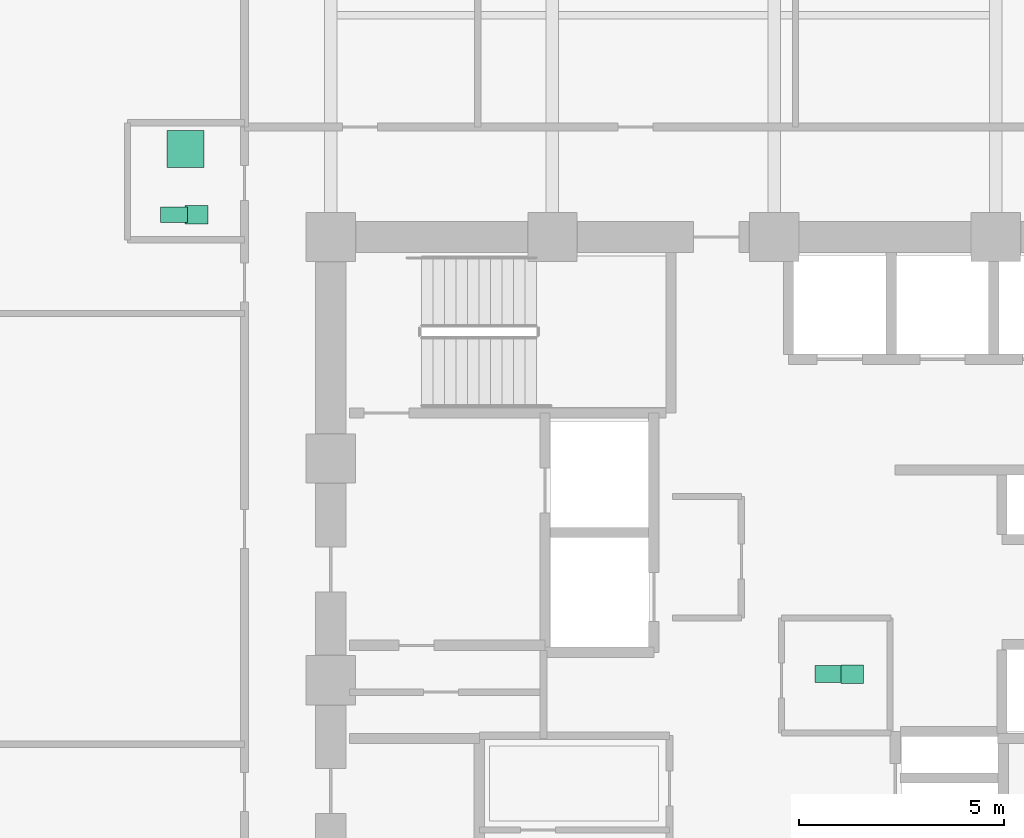
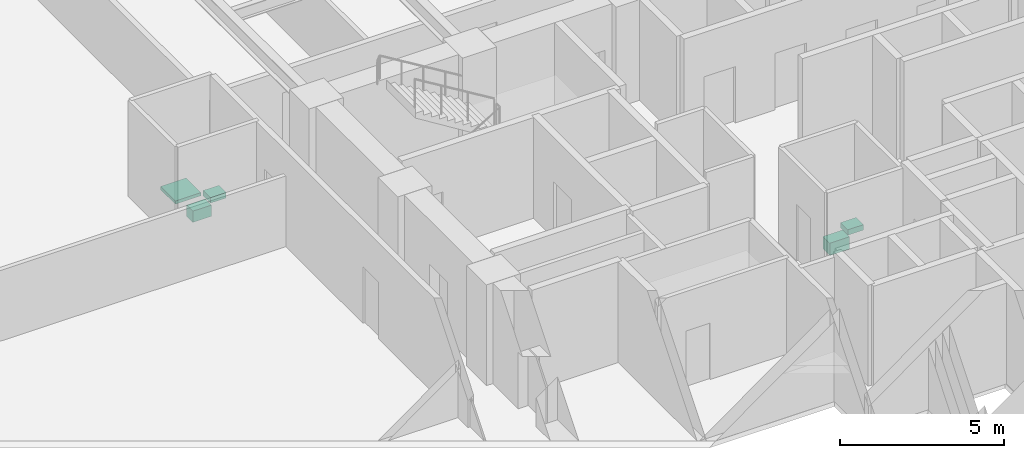
# One storey, part 25 of 25: 5 sanitary terminals.
"""IFC4 building model written with IfcOpenShell, lengths in metres."""

from ifc_helpers import new_model, si_unit, direction, frame, origin, origin_2d, place, context, subcontext, project, spatial, rectangle, extrude, material, type_object, element, save


model = new_model("IFC4")

# Units and contexts
model_context = context("Model", 3, precision=1e-05, world=origin(), true_north=direction((0.0, 1.0)))
body_context = subcontext(model_context, "Body", "Model", "MODEL_VIEW")
ifc_project = project(units=[si_unit("LENGTHUNIT", "METRE"), si_unit("AREAUNIT", "SQUARE_METRE"), si_unit("VOLUMEUNIT", "CUBIC_METRE"), si_unit("PLANEANGLEUNIT", "RADIAN"), si_unit("MASSUNIT", "GRAM", prefix="KILO")], contexts=[model_context])

# Site, building, storey
site_placement = place(None, origin())
site = spatial("IfcSite", under=ifc_project, at=site_placement, CompositionType="ELEMENT")
building_placement = place(site_placement, origin())
building = spatial("IfcBuilding", under=site, at=building_placement, Name="Surkhivell Harbour Commons", CompositionType="ELEMENT")
storey_placement = place(building_placement, frame((0.0, 0.0, 48.75)))
storey = spatial("IfcBuildingStorey", under=building, at=storey_placement, Name="L12", CompositionType="ELEMENT", Elevation=48.75)

# Sanitary terminals
ifc_material_1 = material(Name="Vitreous china washbasin", Category="other")
sanitary_terminal_type_1 = type_object("IfcSanitaryTerminalType", Name="SAN-BSN", PredefinedType="WASHHANDBASIN", material=ifc_material_1)
for number, where, z_axis, x_axis, name in (
    (1, (1.89990234375, 0.14990234375, 0.72021484375), (0.0, 0.0, 1.0), (1.0, 0.0, 0.0), "L12 Core Accessible WC Washbasin"),
    (2, (-14.070068359375, 11.340087890625, 0.72021484375), (0.0, 0.0, 1.0), (1.0, 0.0, 0.0), "L12 West Communal Bathroom WC Washbasin"),
):
    element("IfcSanitaryTerminal", number, at=place(storey_placement, frame(where, z_axis=z_axis, x_axis=x_axis)), inside=storey, type_object=sanitary_terminal_type_1, Name=name, PredefinedType="WASHHANDBASIN", context=body_context, shape_type="SweptSolid", body=[
        extrude(rectangle(XDim=0.550048828125, YDim=0.449951171875, at=origin_2d()), origin(), (0.0, 0.0, 1.0), 0.199951171875),
    ])
ifc_material_2 = material(Name="Glazed porcelain shower tray", Category="other")
sanitary_terminal_type_2 = type_object("IfcSanitaryTerminalType", Name="SAN-SHW", PredefinedType="SHOWER", material=ifc_material_2)
sanitary_terminal_1_placement = place(storey_placement, frame((-14.340087890625, 12.93994140625, 0.0), z_axis=(0.0, 0.0, 1.0), x_axis=(1.0, 0.0, 0.0)))
element("IfcSanitaryTerminal", 3, at=sanitary_terminal_1_placement, inside=storey, type_object=sanitary_terminal_type_2, Name="L12 West Communal Shower Tray", PredefinedType="SHOWER", context=body_context, shape_type="SweptSolid", body=[
    extrude(rectangle(XDim=0.89990234375, YDim=0.89990234375, at=origin_2d()), origin(), (0.0, 0.0, 1.0), 0.1201171875),
])
ifc_material_3 = material(Name="Vitreous china sanitaryware", Category="other")
sanitary_terminal_type_3 = type_object("IfcSanitaryTerminalType", Name="SAN-WC-ACC", PredefinedType="TOILETPAN", material=ifc_material_3)
sanitary_terminal_2_placement = place(storey_placement, frame((1.35009765625, 0.14990234375, 0.169921875), z_axis=(0.0, 0.0, 1.0), x_axis=(1.0, 0.0, 0.0)))
element("IfcSanitaryTerminal", 4, at=sanitary_terminal_2_placement, inside=storey, type_object=sanitary_terminal_type_3, Name="L12 Core Accessible WC", PredefinedType="TOILETPAN", context=body_context, shape_type="SweptSolid", body=[
    extrude(rectangle(XDim=0.699951171875, YDim=0.419921875, at=origin_2d()), origin(), (0.0, 0.0, 1.0), 0.4599609375),
])
sanitary_terminal_type_4 = type_object("IfcSanitaryTerminalType", Name="SAN-WC-STD", PredefinedType="TOILETPAN", material=ifc_material_3)
sanitary_terminal_3_placement = place(storey_placement, frame((-14.6201171875, 11.340087890625, 0.18994140625), z_axis=(0.0, 0.0, 1.0), x_axis=(1.0, 0.0, 0.0)))
element("IfcSanitaryTerminal", 5, at=sanitary_terminal_3_placement, inside=storey, type_object=sanitary_terminal_type_4, Name="L12 West Communal Bathroom WC", PredefinedType="TOILETPAN", context=body_context, shape_type="SweptSolid", body=[
    extrude(rectangle(XDim=0.64990234375, YDim=0.3798828125, at=origin_2d()), origin(), (0.0, 0.0, 1.0), 0.419921875),
])

save(model, "model.ifc")
